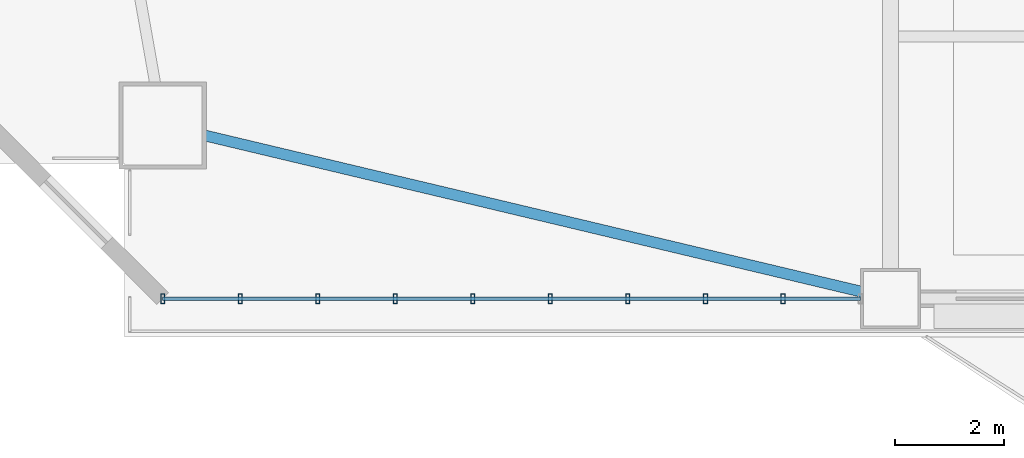
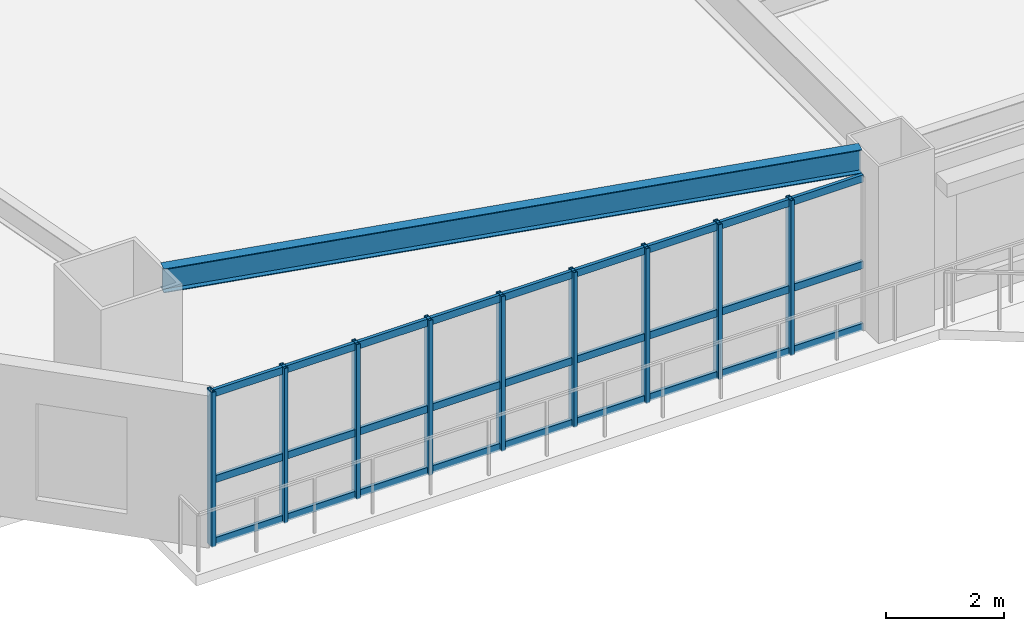
# One storey, part 2 of 17: 12 members, 1 beam, 1 element without a shape of its own.
"""IFC4 building model written with IfcOpenShell, lengths in metres."""

from ifc_helpers import new_model, si_unit, direction, frame, origin, origin_2d, place, context, subcontext, project, spatial, hollow_rectangle, i_section, extrude, source, transform, mapped, material, layer, layer_set, material_profile, profile_set, type_object, element, aggregate, save


model = new_model("IFC4")

# Units and contexts
model_context = context("Model", 3, precision=1e-05, world=origin(), true_north=direction((0.0, 1.0)))
body_context = subcontext(model_context, "Body", "Model", "MODEL_VIEW")
ifc_project = project(units=[si_unit("LENGTHUNIT", "METRE"), si_unit("AREAUNIT", "SQUARE_METRE"), si_unit("VOLUMEUNIT", "CUBIC_METRE"), si_unit("PLANEANGLEUNIT", "RADIAN"), si_unit("MASSUNIT", "GRAM", prefix="KILO")], contexts=[model_context])

# Site, building, storey
site_placement = place(None, origin())
site = spatial("IfcSite", under=ifc_project, at=site_placement, CompositionType="ELEMENT")
building_placement = place(site_placement, origin())
building = spatial("IfcBuilding", under=site, at=building_placement, Name="Giltprow Tower", CompositionType="ELEMENT")
storey_placement = place(building_placement, frame((0.0, 0.0, 41.0)))
storey = spatial("IfcBuildingStorey", under=building, at=storey_placement, Name="L10", CompositionType="ELEMENT", Elevation=41.0)

# Beam
ifc_material_1 = material(Name="Structural steel Q355B", Category="steel")
ifc_material_profile_1 = material_profile(ifc_material_1, i_section(OverallWidth=0.199951171875, OverallDepth=0.5, WebThickness=0.010009765625, FlangeThickness=0.01611328125, at=origin_2d()), Name="HN 500x200x10x16")
ifc_profile_set_1 = profile_set([ifc_material_profile_1], Name="Structural steel Q355B")
beam_type = type_object("IfcBeamType", Name="BM-SPAN-HN500", PredefinedType="SPANDREL", material=ifc_profile_set_1)
shared_shape_1 = source(origin(), body_context, "Body", "SweptSolid", [
    extrude(i_section(OverallWidth=0.199951171875, OverallDepth=0.5, WebThickness=0.010009765625, FlangeThickness=0.01611328125, at=origin_2d()), origin(), (0.0, 0.0, 1.0), 12.3935546875),
])
beam_placement = place(storey_placement, frame((7.27294921875, 6.819091796875, 3.429931640625), z_axis=(0.972853117152, -0.231423448352, 0.0), x_axis=(0.231423448352, 0.972853117152, 0.0)))
element("IfcBeam", 1, at=beam_placement, inside=storey, type_object=beam_type, Name="L10 Perimeter Spandrel Beam MC_SW-S1", PredefinedType="SPANDREL", context=body_context, shape_type="MappedRepresentation", body=[
    mapped(shared_shape_1, transform((0.0, 0.0, 0.0), x_axis=(1.0, 0.0, 0.0), y_axis=(0.0, 1.0, 0.0), z_axis=(0.0, 0.0, 1.0), scale=1.0)),
])

# Curtain wall, members
ifc_material_2 = material(Name="Anodized bronze", Category="metal")
ifc_layer = layer(ifc_material_2, 0.179931640625, Name="Anodized bronze")
ifc_layer_set = layer_set([ifc_layer], Name="Anodized bronze")
curtain_wall_type = type_object("IfcCurtainWallType", Name="CW-OFF-RECESSED", PredefinedType="NOTDEFINED", material=ifc_layer_set)
curtain_wall_placement = place(storey_placement, origin())
curtain_wall = element("IfcCurtainWall", 2, at=curtain_wall_placement, inside=storey, type_object=curtain_wall_type, Name="L10 South Recessed Curtain Wall 1", PredefinedType="NOTDEFINED")
ifc_material_profile_2 = material_profile(ifc_material_2, hollow_rectangle(XDim=0.074951171875, YDim=0.179931640625, WallThickness=0.008056640625, at=origin_2d()), Name="RHS 180x75x8")
ifc_profile_set_2 = profile_set([ifc_material_profile_2], Name="Anodized bronze")
member_type_1 = type_object("IfcMemberType", Name="CW-MULLION-180x75", PredefinedType="MULLION", material=ifc_profile_set_2)
shared_shape_2 = source(origin(), body_context, "Body", "SweptSolid", [
    extrude(hollow_rectangle(XDim=0.074951171875, YDim=0.179931640625, WallThickness=0.008056640625, at=origin_2d()), origin(), (0.0, 0.0, 1.0), 3.215087890625),
])
member_1_placement = place(storey_placement, frame((6.509033203125, 3.826904296875, -0.02001953125), z_axis=(0.0, 0.0, 1.0), x_axis=(1.0, 0.0, 0.0)))
member_1 = element("IfcMember", 3, at=member_1_placement, type_object=member_type_1, Name="L10 South Recessed Curtain Wall 1 Mullion 1", PredefinedType="MULLION", context=body_context, shape_type="MappedRepresentation", body=[
    mapped(shared_shape_2, transform((0.0, 0.0, 0.0), x_axis=(1.0, 0.0, 0.0), y_axis=(0.0, 1.0, 0.0), z_axis=(0.0, 0.0, 1.0), scale=1.0)),
])
member_2_placement = place(storey_placement, frame((7.929931640625, 3.826904296875, -0.02001953125), z_axis=(0.0, 0.0, 1.0), x_axis=(1.0, 0.0, 0.0)))
member_2 = element("IfcMember", 4, at=member_2_placement, type_object=member_type_1, Name="L10 South Recessed Curtain Wall 1 Mullion 2", PredefinedType="MULLION", context=body_context, shape_type="MappedRepresentation", body=[
    mapped(shared_shape_2, transform((0.0, 0.0, 0.0), x_axis=(1.0, 0.0, 0.0), y_axis=(0.0, 1.0, 0.0), z_axis=(0.0, 0.0, 1.0), scale=1.0)),
])
member_3_placement = place(storey_placement, frame((9.35107421875, 3.826904296875, -0.02001953125), z_axis=(0.0, 0.0, 1.0), x_axis=(1.0, 0.0, 0.0)))
member_3 = element("IfcMember", 5, at=member_3_placement, type_object=member_type_1, Name="L10 South Recessed Curtain Wall 1 Mullion 3", PredefinedType="MULLION", context=body_context, shape_type="MappedRepresentation", body=[
    mapped(shared_shape_2, transform((0.0, 0.0, 0.0), x_axis=(1.0, 0.0, 0.0), y_axis=(0.0, 1.0, 0.0), z_axis=(0.0, 0.0, 1.0), scale=1.0)),
])
member_4_placement = place(storey_placement, frame((10.77294921875, 3.826904296875, -0.02001953125), z_axis=(0.0, 0.0, 1.0), x_axis=(1.0, 0.0, 0.0)))
member_4 = element("IfcMember", 6, at=member_4_placement, type_object=member_type_1, Name="L10 South Recessed Curtain Wall 1 Mullion 4", PredefinedType="MULLION", context=body_context, shape_type="MappedRepresentation", body=[
    mapped(shared_shape_2, transform((0.0, 0.0, 0.0), x_axis=(1.0, 0.0, 0.0), y_axis=(0.0, 1.0, 0.0), z_axis=(0.0, 0.0, 1.0), scale=1.0)),
])
member_5_placement = place(storey_placement, frame((12.194091796875, 3.826904296875, -0.02001953125), z_axis=(0.0, 0.0, 1.0), x_axis=(1.0, 0.0, 0.0)))
member_5 = element("IfcMember", 7, at=member_5_placement, type_object=member_type_1, Name="L10 South Recessed Curtain Wall 1 Mullion 5", PredefinedType="MULLION", context=body_context, shape_type="MappedRepresentation", body=[
    mapped(shared_shape_2, transform((0.0, 0.0, 0.0), x_axis=(1.0, 0.0, 0.0), y_axis=(0.0, 1.0, 0.0), z_axis=(0.0, 0.0, 1.0), scale=1.0)),
])
member_6_placement = place(storey_placement, frame((13.614990234375, 3.826904296875, -0.02001953125), z_axis=(0.0, 0.0, 1.0), x_axis=(1.0, 0.0, 0.0)))
member_6 = element("IfcMember", 8, at=member_6_placement, type_object=member_type_1, Name="L10 South Recessed Curtain Wall 1 Mullion 6", PredefinedType="MULLION", context=body_context, shape_type="MappedRepresentation", body=[
    mapped(shared_shape_2, transform((0.0, 0.0, 0.0), x_axis=(1.0, 0.0, 0.0), y_axis=(0.0, 1.0, 0.0), z_axis=(0.0, 0.0, 1.0), scale=1.0)),
])
member_7_placement = place(storey_placement, frame((15.035888671875, 3.826904296875, -0.02001953125), z_axis=(0.0, 0.0, 1.0), x_axis=(1.0, 0.0, 0.0)))
member_7 = element("IfcMember", 9, at=member_7_placement, type_object=member_type_1, Name="L10 South Recessed Curtain Wall 1 Mullion 7", PredefinedType="MULLION", context=body_context, shape_type="MappedRepresentation", body=[
    mapped(shared_shape_2, transform((0.0, 0.0, 0.0), x_axis=(1.0, 0.0, 0.0), y_axis=(0.0, 1.0, 0.0), z_axis=(0.0, 0.0, 1.0), scale=1.0)),
])
member_8_placement = place(storey_placement, frame((16.4580078125, 3.826904296875, -0.02001953125), z_axis=(0.0, 0.0, 1.0), x_axis=(1.0, 0.0, 0.0)))
member_8 = element("IfcMember", 10, at=member_8_placement, type_object=member_type_1, Name="L10 South Recessed Curtain Wall 1 Mullion 8", PredefinedType="MULLION", context=body_context, shape_type="MappedRepresentation", body=[
    mapped(shared_shape_2, transform((0.0, 0.0, 0.0), x_axis=(1.0, 0.0, 0.0), y_axis=(0.0, 1.0, 0.0), z_axis=(0.0, 0.0, 1.0), scale=1.0)),
])
member_9_placement = place(storey_placement, frame((17.87890625, 3.826904296875, -0.02001953125), z_axis=(0.0, 0.0, 1.0), x_axis=(1.0, 0.0, 0.0)))
member_9 = element("IfcMember", 11, at=member_9_placement, type_object=member_type_1, Name="L10 South Recessed Curtain Wall 1 Mullion 9", PredefinedType="MULLION", context=body_context, shape_type="MappedRepresentation", body=[
    mapped(shared_shape_2, transform((0.0, 0.0, 0.0), x_axis=(1.0, 0.0, 0.0), y_axis=(0.0, 1.0, 0.0), z_axis=(0.0, 0.0, 1.0), scale=1.0)),
])
ifc_material_profile_3 = material_profile(ifc_material_2, hollow_rectangle(XDim=0.06494140625, YDim=0.14990234375, WallThickness=0.006103515625, at=origin_2d()), Name="RHS 150x65x6")
ifc_profile_set_3 = profile_set([ifc_material_profile_3], Name="Anodized bronze")
member_type_2 = type_object("IfcMemberType", Name="CW-TRANSOM-150x65", PredefinedType="USERDEFINED", material=ifc_profile_set_3)
shared_shape_3 = source(origin(), body_context, "Body", "SweptSolid", [
    extrude(hollow_rectangle(XDim=0.06494140625, YDim=0.14990234375, WallThickness=0.006103515625, at=origin_2d()), origin(), (0.0, 0.0, 1.0), 12.791015625),
])
member_10_placement = place(storey_placement, frame((6.509033203125, 3.826904296875, 0.0400390625), z_axis=(1.0, 0.0, 0.0), x_axis=(0.0, 1.0, 0.0)))
member_10 = element("IfcMember", 12, at=member_10_placement, type_object=member_type_2, Name="L10 South Recessed Curtain Wall 1 Transom 1", ObjectType="TRANSOM", PredefinedType="USERDEFINED", context=body_context, shape_type="MappedRepresentation", body=[
    mapped(shared_shape_3, transform((0.0, 0.0, 0.0), x_axis=(1.0, 0.0, 0.0), y_axis=(0.0, 1.0, 0.0), z_axis=(0.0, 0.0, 1.0), scale=1.0)),
])
member_11_placement = place(storey_placement, frame((6.509033203125, 3.826904296875, 1.326904296875), z_axis=(1.0, 0.0, 0.0), x_axis=(0.0, 1.0, 0.0)))
member_11 = element("IfcMember", 13, at=member_11_placement, type_object=member_type_2, Name="L10 South Recessed Curtain Wall 1 Transom 2", ObjectType="TRANSOM", PredefinedType="USERDEFINED", context=body_context, shape_type="MappedRepresentation", body=[
    mapped(shared_shape_3, transform((0.0, 0.0, 0.0), x_axis=(1.0, 0.0, 0.0), y_axis=(0.0, 1.0, 0.0), z_axis=(0.0, 0.0, 1.0), scale=1.0)),
])
member_12_placement = place(storey_placement, frame((6.509033203125, 3.826904296875, 3.1201171875), z_axis=(1.0, 0.0, 0.0), x_axis=(0.0, 1.0, 0.0)))
member_12 = element("IfcMember", 14, at=member_12_placement, type_object=member_type_2, Name="L10 South Recessed Curtain Wall 1 Transom 3", ObjectType="TRANSOM", PredefinedType="USERDEFINED", context=body_context, shape_type="MappedRepresentation", body=[
    mapped(shared_shape_3, transform((0.0, 0.0, 0.0), x_axis=(1.0, 0.0, 0.0), y_axis=(0.0, 1.0, 0.0), z_axis=(0.0, 0.0, 1.0), scale=1.0)),
])
aggregate(curtain_wall, [member_1, member_2, member_3, member_4, member_5, member_6, member_7, member_8, member_9, member_10, member_11, member_12])

save(model, "model.ifc")
